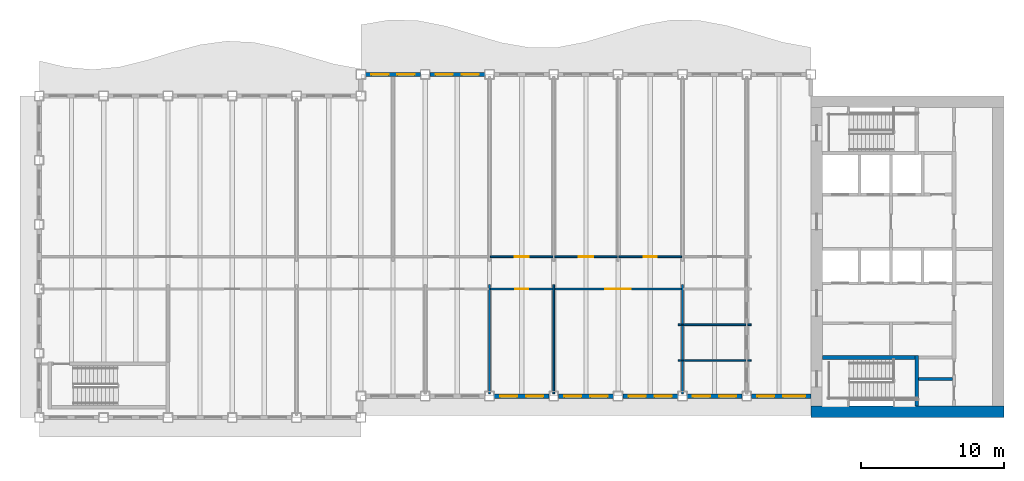
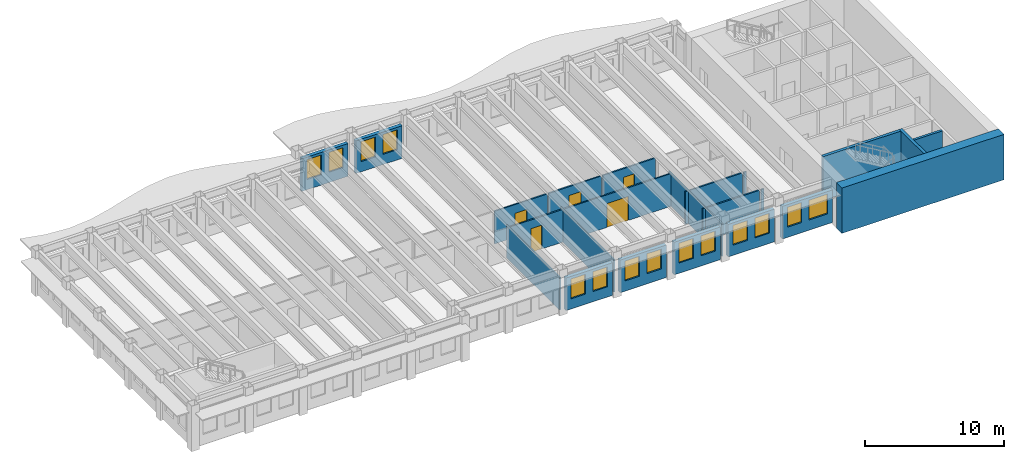
# One storey, part 4 of 12: 25 walls, 14 windows, 5 doors, 19 openings.
"""IFC4 building model written with IfcOpenShell, lengths in metres."""

import ifcopenshell
import ifcopenshell.guid

model = None  # the IFC model being written
_history = None  # IfcOwnerHistory: only IFC2X3 demands one
_inside = {}  # id of a spatial element -> (the spatial element, [elements in it])
_under = {}  # id of a project, library or spatial element -> (it, [spatial elements below it])
_declared = {}  # id of a project -> (the project, [libraries it declares])
_typed = {}  # id of a type object -> (the type object, [elements of that type])
_made_of = {}  # id of a material, layer set ... -> (it, [elements and type objects made of it])


def new_model(schema):
    """Start an empty IFC model of exactly this schema.

    Asked for "IFC4X3", IfcOpenShell would pick the latest addendum, in which some entities
    have other attributes; the version numbers below select the first issue.
    IFC2X3 requires an IfcOwnerHistory on every rooted entity: one is made here for all.
    """
    global model, _history
    if schema == "IFC4X3":
        model = ifcopenshell.file(schema_version=(4, 3, 0, 0))
    else:
        model = ifcopenshell.file(schema=schema)
    _inside.clear()
    _under.clear()
    _declared.clear()
    _typed.clear()
    _made_of.clear()
    _history = None
    if model.schema == "IFC2X3":
        org = make("IfcOrganization", Name="unknown")
        user = make(
            "IfcPersonAndOrganization",
            ThePerson=make("IfcPerson", FamilyName="unknown"),
            TheOrganization=org,
        )
        app = make(
            "IfcApplication",
            ApplicationDeveloper=org,
            Version="unknown",
            ApplicationFullName="unknown",
            ApplicationIdentifier="unknown",
        )
        _history = make(
            "IfcOwnerHistory",
            OwningUser=user,
            OwningApplication=app,
            ChangeAction="ADDED",
            CreationDate=0,
        )
    return model


def make(cls, **values):
    """One entity of the class cls with the attributes given. An attribute that is None is left unset."""
    return model.create_entity(
        cls, **{name: value for name, value in values.items() if value is not None}
    )


def rooted(cls, **values):
    """An entity with a GlobalId (a new one), such as an element, a storey or a relation."""
    return make(cls, GlobalId=ifcopenshell.guid.new(), OwnerHistory=_history, **values)


def si_unit(unit_type, name, prefix=None):
    """IfcSIUnit, for example si_unit("LENGTHUNIT", "METRE", prefix="MILLI")."""
    return make("IfcSIUnit", UnitType=unit_type, Prefix=prefix, Name=name)


def assignment(units):
    """IfcUnitAssignment: the units of a project."""
    return None if units is None else make("IfcUnitAssignment", Units=units)


def point(xyz):
    """IfcCartesianPoint."""
    return None if xyz is None else make("IfcCartesianPoint", Coordinates=xyz)


def direction(xyz):
    """IfcDirection."""
    return None if xyz is None else make("IfcDirection", DirectionRatios=xyz)


def frame(location, z_axis=None, x_axis=None):
    """IfcAxis2Placement3D, a coordinate frame: its origin and axes. An axis left out is left unset."""
    return make(
        "IfcAxis2Placement3D",
        Location=point(location),
        Axis=direction(z_axis),
        RefDirection=direction(x_axis),
    )


def frame_2d(location, x_axis=None):
    """IfcAxis2Placement2D, a coordinate frame in the plane: its origin and x axis."""
    return make(
        "IfcAxis2Placement2D", Location=point(location), RefDirection=direction(x_axis)
    )


def origin():
    """The frame at (0, 0, 0) with its axes left unset."""
    return frame((0.0, 0.0, 0.0))


def place(relative_to, where):
    """IfcLocalPlacement: puts the frame where relative to a parent placement (None: the world)."""
    return make(
        "IfcLocalPlacement", PlacementRelTo=relative_to, RelativePlacement=where
    )


def context(
    kind, dimensions, precision=None, world=None, true_north=None, identifier=None
):
    """IfcGeometricRepresentationContext, for example the 3D "Model" context."""
    return make(
        "IfcGeometricRepresentationContext",
        ContextIdentifier=identifier,
        ContextType=kind,
        CoordinateSpaceDimension=dimensions,
        Precision=precision,
        WorldCoordinateSystem=world,
        TrueNorth=true_north,
    )


def subcontext(parent, identifier, kind, view, scale=None):
    """IfcGeometricRepresentationSubContext, for example "Body" below "Model"."""
    return make(
        "IfcGeometricRepresentationSubContext",
        ContextIdentifier=identifier,
        ContextType=kind,
        ParentContext=parent,
        TargetScale=scale,
        TargetView=view,
    )


def project(units=None, contexts=None):
    """IfcProject with its units and contexts."""
    return rooted(
        "IfcProject",
        Name="project",
        RepresentationContexts=contexts,
        UnitsInContext=assignment(units),
    )


def spatial(cls, under=None, at=None, **own):
    """A site, building, storey or space (cls), placed at a placement, below another one or the project."""
    s = rooted(cls, ObjectPlacement=at, **own)
    if under is not None:
        _under.setdefault(under.id(), (under, []))[1].append(s)
    return s


def profile(cls, at=None, kind="AREA", **sizes):
    """A parametric profile (cls). Its sizes go by their IFC names, for example OverallWidth=200.0."""
    return make(cls, ProfileType=kind, Position=at, **sizes)


def rectangle(**sizes):
    """IfcRectangleProfileDef."""
    return profile("IfcRectangleProfileDef", **sizes)


def extrude(swept, where, along, depth):
    """IfcExtrudedAreaSolid: the profile swept, set in the frame where, extruded along a direction by depth."""
    return make(
        "IfcExtrudedAreaSolid",
        SweptArea=swept,
        Position=where,
        ExtrudedDirection=direction(along),
        Depth=depth,
    )


def shape(context_of_items, identifier, shape_type, items):
    """IfcShapeRepresentation: the items that make up one representation, for example the "Body"."""
    return make(
        "IfcShapeRepresentation",
        ContextOfItems=context_of_items,
        RepresentationIdentifier=identifier,
        RepresentationType=shape_type,
        Items=items,
    )


def material(Name=None, Category=None):
    """IfcMaterial."""
    return make("IfcMaterial", Name=Name, Category=Category)


def layer(
    of_material, thickness, ventilated=None, Name=None, Category=None, Priority=None
):
    """IfcMaterialLayer: one layer of a wall or slab, of a material (None: an air gap)."""
    return make(
        "IfcMaterialLayer",
        Material=of_material,
        LayerThickness=thickness,
        IsVentilated=ventilated,
        Name=Name,
        Category=Category,
        Priority=Priority,
    )


def layer_set(layers, Name=None):
    """IfcMaterialLayerSet."""
    return make("IfcMaterialLayerSet", MaterialLayers=layers, LayerSetName=Name)


def made_of(thing, what):
    """Note that an element or type object is made of a material, layer set ...; save() writes the relation."""
    if what is not None:
        _made_of.setdefault(what.id(), (what, []))[1].append(thing)
    return thing


def type_object(cls, material=None, **own):
    """A type object (cls), such as IfcWallType, which elements share."""
    return made_of(rooted(cls, **own), material)


def element(
    cls,
    number,
    at=None,
    inside=None,
    cuts=None,
    type_object=None,
    material=None,
    context=None,
    identifier="Body",
    shape_type=None,
    held_by="IfcProductDefinitionShape",
    body=None,
    shapes=None,
    **own,
):
    """One element of the class cls, such as IfcWall. Its Tag is "e" and its number.

    at: its placement. inside: the storey or other place that contains it. cuts: it is an
    opening in that element (IfcRelVoidsElement). A single representation is given by context,
    identifier, shape_type and body (its items); several are given by shapes. held_by: the class
    of the entity that holds the representations. save() writes the other relations.
    """
    e = rooted(cls, Tag="e%d" % number, ObjectPlacement=at, **own)
    if body is not None:
        shapes = [shape(context, identifier, shape_type, body)]
    if shapes is not None:
        e.Representation = make(held_by, Representations=shapes)
    if inside is not None:
        _inside.setdefault(inside.id(), (inside, []))[1].append(e)
    if cuts is not None:
        rooted(
            "IfcRelVoidsElement", RelatingBuildingElement=cuts, RelatedOpeningElement=e
        )
    if type_object is not None:
        _typed.setdefault(type_object.id(), (type_object, []))[1].append(e)
    return made_of(e, material)


def fill(opening, filler):
    """IfcRelFillsElement: the door or window that sits in an opening."""
    return rooted(
        "IfcRelFillsElement",
        RelatingOpeningElement=opening,
        RelatedBuildingElement=filler,
    )


def aggregate(whole, parts):
    """IfcRelAggregates: a whole, such as a stair, and the parts it consists of."""
    return rooted("IfcRelAggregates", RelatingObject=whole, RelatedObjects=parts)


def save(model, path):
    """Write the relations noted so far, then the file.

    IfcRelAggregates (storeys below a building ...), IfcRelContainedInSpatialStructure (elements
    in a storey), IfcRelDefinesByType, IfcRelAssociatesMaterial and IfcRelDeclares: one each for
    every whole, place, type object, material and project.
    """
    for whole, parts in _under.values():
        aggregate(whole, parts)
    for where, things in _inside.values():
        rooted(
            "IfcRelContainedInSpatialStructure",
            RelatedElements=things,
            RelatingStructure=where,
        )
    for kind, things in _typed.values():
        rooted("IfcRelDefinesByType", RelatedObjects=things, RelatingType=kind)
    for what, things in _made_of.values():
        rooted("IfcRelAssociatesMaterial", RelatedObjects=things, RelatingMaterial=what)
    for by, libraries in _declared.values():
        rooted("IfcRelDeclares", RelatingContext=by, RelatedDefinitions=libraries)
    model.write(path)


model = new_model("IFC4")

# Units and contexts
model_context = context("Model", 3, precision=1e-05, world=origin(), true_north=direction((0.0, 1.0)))
body_context = subcontext(model_context, "Body", "Model", "MODEL_VIEW")
ifc_project = project(units=[si_unit("LENGTHUNIT", "METRE"), si_unit("AREAUNIT", "SQUARE_METRE"), si_unit("VOLUMEUNIT", "CUBIC_METRE"), si_unit("PLANEANGLEUNIT", "RADIAN"), si_unit("MASSUNIT", "GRAM", prefix="KILO")], contexts=[model_context])

# Site, building, storey
site_placement = place(None, origin())
site = spatial("IfcSite", under=ifc_project, at=site_placement, CompositionType="ELEMENT")
building_placement = place(site_placement, origin())
building = spatial("IfcBuilding", under=site, at=building_placement, Name="Sennacour Bend Tower", CompositionType="ELEMENT")
storey_placement = place(building_placement, frame((0.0, 0.0, 257.0)))
storey = spatial("IfcBuildingStorey", under=building, at=storey_placement, Name="L59", CompositionType="ELEMENT", Elevation=257.0)

# Walls
ifc_material_1 = material(Name="Concrete C50/60", Category="concrete")
ifc_layer_1 = layer(ifc_material_1, 0.800048828125, Name="Concrete C50/60", Category="concrete")
ifc_layer_set_1 = layer_set([ifc_layer_1], Name="Concrete C50/60")
wall_type_1 = type_object("IfcWallType", Name="Core wall 800 C50/60", PredefinedType="SHEAR", material=ifc_layer_set_1)
wall_1_placement = place(storey_placement, frame((67.5, 0.39990234375, -0.14990234375), z_axis=(0.0, 0.0, 1.0), x_axis=(-1.0, 0.0, 0.0)))
element("IfcWall", 1, at=wall_1_placement, inside=storey, type_object=wall_type_1, Name="Core A wall L59 S", PredefinedType="SHEAR", context=body_context, shape_type="SweptSolid", body=[
    extrude(rectangle(XDim=13.5, YDim=0.800048828125, at=frame_2d((6.75, 0.0))), origin(), (0.0, 0.0, 1.0), 4.0),
])
ifc_material_2 = material(Name="Plasterboard partition on steel studs", Category="steel")
ifc_layer_2 = layer(ifc_material_2, 0.1201171875, Name="Plasterboard partition on steel studs", Category="steel")
ifc_layer_set_2 = layer_set([ifc_layer_2], Name="Plasterboard partition on steel studs")
wall_type_2 = type_object("IfcWallType", Name="Partition 120", PredefinedType="PARTITIONING", material=ifc_layer_set_2)
for number, where, z_axis, x_axis, name in (
    (2, (31.5, 1.64990234375, 0.0), (0.0, 0.0, 1.0), (0.0, 1.0, 0.0), "P-L59-W010a"),
    (3, (36.0, 1.64990234375, 0.0), (0.0, 0.0, 1.0), (0.0, 1.0, 0.0), "P-L59-W012a"),
    (4, (45.0, 1.64990234375, 0.0), (0.0, 0.0, 1.0), (0.0, 1.0, 0.0), "P-L59-W015a"),
):
    element("IfcWall", number, at=place(storey_placement, frame(where, z_axis=z_axis, x_axis=x_axis)), inside=storey, type_object=wall_type_2, Name=name, PredefinedType="PARTITIONING", context=body_context, shape_type="SweptSolid", body=[
        extrude(rectangle(XDim=7.650146484375, YDim=0.1201171875, at=frame_2d((3.8251953125, 0.0))), origin(), (0.0, 0.0, 1.0), 2.8701171875),
    ])
wall_2_placement = place(storey_placement, frame((44.699951171875, 4.0, 0.0), z_axis=(0.0, 0.0, 1.0), x_axis=(1.0, 0.0, 0.0)))
element("IfcWall", 5, at=wall_2_placement, inside=storey, type_object=wall_type_2, Name="P-L59-W038aa", PredefinedType="PARTITIONING", context=body_context, shape_type="SweptSolid", body=[
    extrude(rectangle(XDim=0.239990234375, YDim=0.1201171875, at=frame_2d((0.1201171875, 0.0))), origin(), (0.0, 0.0, 1.0), 2.8701171875),
])
wall_3_placement = place(storey_placement, frame((45.06005859375, 4.0, 0.0), z_axis=(0.0, 0.0, 1.0), x_axis=(1.0, 0.0, 0.0)))
element("IfcWall", 6, at=wall_3_placement, inside=storey, type_object=wall_type_2, Name="P-L59-W038ab", PredefinedType="PARTITIONING", context=body_context, shape_type="SweptSolid", body=[
    extrude(rectangle(XDim=4.3798828125, YDim=0.1201171875, at=frame_2d((2.18994140625, 0.0))), origin(), (0.0, 0.0, 1.0), 2.8701171875),
])
for number, where, z_axis, x_axis, name in (
    (7, (49.56005859375, 4.0, 0.0), (0.0, 0.0, 1.0), (1.0, 0.0, 0.0), "P-L59-W038ac"),
    (8, (44.699951171875, 6.5, 0.0), (0.0, 0.0, 1.0), (1.0, 0.0, 0.0), "P-L59-W041aa"),
):
    element("IfcWall", number, at=place(storey_placement, frame(where, z_axis=z_axis, x_axis=x_axis)), inside=storey, type_object=wall_type_2, Name=name, PredefinedType="PARTITIONING", context=body_context, shape_type="SweptSolid", body=[
        extrude(rectangle(XDim=0.239990234375, YDim=0.1201171875, at=frame_2d((0.1201171875, 0.0))), origin(), (0.0, 0.0, 1.0), 2.8701171875),
    ])
wall_4_placement = place(storey_placement, frame((45.06005859375, 6.5, 0.0), z_axis=(0.0, 0.0, 1.0), x_axis=(1.0, 0.0, 0.0)))
element("IfcWall", 9, at=wall_4_placement, inside=storey, type_object=wall_type_2, Name="P-L59-W041ab", PredefinedType="PARTITIONING", context=body_context, shape_type="SweptSolid", body=[
    extrude(rectangle(XDim=4.3798828125, YDim=0.1201171875, at=frame_2d((2.18994140625, 0.0))), origin(), (0.0, 0.0, 1.0), 2.8701171875),
])
wall_5_placement = place(storey_placement, frame((49.56005859375, 6.5, 0.0), z_axis=(0.0, 0.0, 1.0), x_axis=(1.0, 0.0, 0.0)))
element("IfcWall", 10, at=wall_5_placement, inside=storey, type_object=wall_type_2, Name="P-L59-W041ac", PredefinedType="PARTITIONING", context=body_context, shape_type="SweptSolid", body=[
    extrude(rectangle(XDim=0.239990234375, YDim=0.1201171875, at=frame_2d((0.1201171875, 0.0))), origin(), (0.0, 0.0, 1.0), 2.8701171875),
])

# Wall, opening, door
wall_6_placement = place(storey_placement, frame((36.06005859375, 9.0, 0.0), z_axis=(0.0, 0.0, 1.0), x_axis=(1.0, 0.0, 0.0)))
wall_6 = element("IfcWall", 11, at=wall_6_placement, inside=storey, type_object=wall_type_2, Name="P-L59-W043af", PredefinedType="PARTITIONING", context=body_context, shape_type="SweptSolid", body=[
    extrude(rectangle(XDim=8.8798828125, YDim=0.1201171875, at=frame_2d((4.43994140625, 0.0))), origin(), (0.0, 0.0, 1.0), 2.8701171875),
])
opening_1_placement = place(wall_6_placement, frame((3.539794921875, 0.0, 0.0)))
opening_1 = element("IfcOpeningElement", 12, at=opening_1_placement, cuts=wall_6, Name="Opening OD3", PredefinedType="OPENING", context=body_context, shape_type="SweptSolid", body=[
    extrude(rectangle(XDim=1.800048828125, YDim=2.10009765625, at=frame_2d((0.89990234375, 1.050048828125))), frame((0.0, 0.070068359375, 0.0), z_axis=(0.0, -1.0, 0.0), x_axis=(1.0, 0.0, 0.0)), (0.0, 0.0, 1.0), 0.14013671875),
])
ifc_material_3 = material(Name="Timber", Category="wood")
door_type_1 = type_object("IfcDoorType", Name="DR-OFFICE-1800", OperationType="NOTDEFINED", PredefinedType="DOOR", material=ifc_material_3)
door_1_placement = place(opening_1_placement, origin())
door_1 = element("IfcDoor", 13, at=door_1_placement, inside=storey, type_object=door_type_1, Name="Door", OperationType="DOUBLE_DOOR_SINGLE_SWING", OverallHeight=2.10009765625, OverallWidth=1.800048828125, PredefinedType="DOOR", context=body_context, shape_type="SweptSolid", body=[
    extrude(rectangle(XDim=1.800048828125, YDim=2.10009765625, at=frame_2d((0.89990234375, 1.050048828125))), frame((0.0, 0.02490234375, 0.0), z_axis=(0.0, -1.0, 0.0), x_axis=(1.0, 0.0, 0.0)), (0.0, 0.0, 1.0), 0.050048828125),
])
fill(opening_1, door_1)

wall_7_placement = place(storey_placement, frame((31.56005859375, 11.25, 0.0), z_axis=(0.0, 0.0, 1.0), x_axis=(1.0, 0.0, 0.0)))
wall_7 = element("IfcWall", 14, at=wall_7_placement, inside=storey, type_object=wall_type_2, Name="P-L59-W046ad", PredefinedType="PARTITIONING", context=body_context, shape_type="SweptSolid", body=[
    extrude(rectangle(XDim=4.3798828125, YDim=0.1201171875, at=frame_2d((2.18994140625, 0.0))), origin(), (0.0, 0.0, 1.0), 2.8701171875),
])
opening_2_placement = place(wall_7_placement, frame((1.68994140625, 0.0, 0.0)))
opening_2 = element("IfcOpeningElement", 15, at=opening_2_placement, cuts=wall_7, Name="Opening OD2", PredefinedType="OPENING", context=body_context, shape_type="SweptSolid", body=[
    extrude(rectangle(XDim=1.0, YDim=2.10009765625, at=frame_2d((0.5, 1.050048828125))), frame((0.0, 0.070068359375, 0.0), z_axis=(0.0, -1.0, 0.0), x_axis=(1.0, 0.0, 0.0)), (0.0, 0.0, 1.0), 0.14013671875),
])
door_type_2 = type_object("IfcDoorType", Name="DR-OFFICE-1000", OperationType="NOTDEFINED", PredefinedType="DOOR", material=ifc_material_3)
door_2_placement = place(opening_2_placement, origin())
door_2 = element("IfcDoor", 16, at=door_2_placement, inside=storey, type_object=door_type_2, Name="Door", OperationType="SINGLE_SWING_LEFT", OverallHeight=2.10009765625, OverallWidth=1.0, PredefinedType="DOOR", context=body_context, shape_type="SweptSolid", body=[
    extrude(rectangle(XDim=1.0, YDim=2.10009765625, at=frame_2d((0.5, 1.050048828125))), frame((0.0, 0.02490234375, 0.0), z_axis=(0.0, -1.0, 0.0), x_axis=(1.0, 0.0, 0.0)), (0.0, 0.0, 1.0), 0.050048828125),
])
fill(opening_2, door_2)

wall_8_placement = place(storey_placement, frame((36.06005859375, 11.25, 0.0), z_axis=(0.0, 0.0, 1.0), x_axis=(1.0, 0.0, 0.0)))
wall_8 = element("IfcWall", 17, at=wall_8_placement, inside=storey, type_object=wall_type_2, Name="P-L59-W046ae", PredefinedType="PARTITIONING", context=body_context, shape_type="SweptSolid", body=[
    extrude(rectangle(XDim=4.3798828125, YDim=0.1201171875, at=frame_2d((2.18994140625, 0.0))), origin(), (0.0, 0.0, 1.0), 2.8701171875),
])
opening_3_placement = place(wall_8_placement, frame((1.68994140625, 0.0, 0.0)))
opening_3 = element("IfcOpeningElement", 18, at=opening_3_placement, cuts=wall_8, Name="Opening OD2", PredefinedType="OPENING", context=body_context, shape_type="SweptSolid", body=[
    extrude(rectangle(XDim=1.0, YDim=2.10009765625, at=frame_2d((0.5, 1.050048828125))), frame((0.0, 0.070068359375, 0.0), z_axis=(0.0, -1.0, 0.0), x_axis=(1.0, 0.0, 0.0)), (0.0, 0.0, 1.0), 0.14013671875),
])
door_3_placement = place(opening_3_placement, origin())
door_3 = element("IfcDoor", 19, at=door_3_placement, inside=storey, type_object=door_type_2, Name="Door", OperationType="SINGLE_SWING_LEFT", OverallHeight=2.10009765625, OverallWidth=1.0, PredefinedType="DOOR", context=body_context, shape_type="SweptSolid", body=[
    extrude(rectangle(XDim=1.0, YDim=2.10009765625, at=frame_2d((0.5, 1.050048828125))), frame((0.0, 0.02490234375, 0.0), z_axis=(0.0, -1.0, 0.0), x_axis=(1.0, 0.0, 0.0)), (0.0, 0.0, 1.0), 0.050048828125),
])
fill(opening_3, door_3)

ifc_layer_3 = layer(ifc_material_2, 0.1201171875, Name="Plasterboard partition on steel studs", Category="steel")
ifc_layer_set_3 = layer_set([ifc_layer_3], Name="Plasterboard partition on steel studs")
wall_type_3 = type_object("IfcWallType", Name="Partition 120 EI 60", PredefinedType="PARTITIONING", material=ifc_layer_set_3)
wall_9_placement = place(storey_placement, frame((31.56005859375, 9.0, 0.0), z_axis=(0.0, 0.0, 1.0), x_axis=(1.0, 0.0, 0.0)))
wall_9 = element("IfcWall", 20, at=wall_9_placement, inside=storey, type_object=wall_type_3, Name="P-L59-W043ae", PredefinedType="PARTITIONING", context=body_context, shape_type="SweptSolid", body=[
    extrude(rectangle(XDim=4.3798828125, YDim=0.1201171875, at=frame_2d((2.18994140625, 0.0))), origin(), (0.0, 0.0, 1.0), 2.8701171875),
])
opening_4_placement = place(wall_9_placement, frame((1.739990234375, 0.0, 0.0)))
opening_4 = element("IfcOpeningElement", 21, at=opening_4_placement, cuts=wall_9, Name="Opening SV", PredefinedType="OPENING", context=body_context, shape_type="SweptSolid", body=[
    extrude(rectangle(XDim=0.89990234375, YDim=2.10009765625, at=frame_2d((0.449951171875, 1.050048828125))), frame((0.0, 0.070068359375, 0.0), z_axis=(0.0, -1.0, 0.0), x_axis=(1.0, 0.0, 0.0)), (0.0, 0.0, 1.0), 0.14013671875),
])
ifc_material_4 = material(Name="Painted steel", Category="steel")
door_type_3 = type_object("IfcDoorType", Name="DR-SERVICE-900", OperationType="NOTDEFINED", PredefinedType="DOOR", material=ifc_material_4)
door_4_placement = place(opening_4_placement, origin())
door_4 = element("IfcDoor", 22, at=door_4_placement, inside=storey, type_object=door_type_3, Name="Door", OperationType="SINGLE_SWING_LEFT", OverallHeight=2.10009765625, OverallWidth=0.89990234375, PredefinedType="DOOR", context=body_context, shape_type="SweptSolid", body=[
    extrude(rectangle(XDim=0.89990234375, YDim=2.10009765625, at=frame_2d((0.449951171875, 1.050048828125))), frame((0.0, 0.02490234375, 0.0), z_axis=(0.0, -1.0, 0.0), x_axis=(1.0, 0.0, 0.0)), (0.0, 0.0, 1.0), 0.050048828125),
])
fill(opening_4, door_4)

wall_10_placement = place(storey_placement, frame((40.56005859375, 11.25, 0.0), z_axis=(0.0, 0.0, 1.0), x_axis=(1.0, 0.0, 0.0)))
wall_10 = element("IfcWall", 23, at=wall_10_placement, inside=storey, type_object=wall_type_3, Name="P-L59-W046af", PredefinedType="PARTITIONING", context=body_context, shape_type="SweptSolid", body=[
    extrude(rectangle(XDim=4.3798828125, YDim=0.1201171875, at=frame_2d((2.18994140625, 0.0))), origin(), (0.0, 0.0, 1.0), 2.8701171875),
])
opening_5_placement = place(wall_10_placement, frame((1.739990234375, 0.0, 0.0)))
opening_5 = element("IfcOpeningElement", 24, at=opening_5_placement, cuts=wall_10, Name="Opening SV", PredefinedType="OPENING", context=body_context, shape_type="SweptSolid", body=[
    extrude(rectangle(XDim=0.89990234375, YDim=2.10009765625, at=frame_2d((0.449951171875, 1.050048828125))), frame((0.0, 0.070068359375, 0.0), z_axis=(0.0, -1.0, 0.0), x_axis=(1.0, 0.0, 0.0)), (0.0, 0.0, 1.0), 0.14013671875),
])
door_5_placement = place(opening_5_placement, origin())
door_5 = element("IfcDoor", 25, at=door_5_placement, inside=storey, type_object=door_type_3, Name="Door", OperationType="SINGLE_SWING_LEFT", OverallHeight=2.10009765625, OverallWidth=0.89990234375, PredefinedType="DOOR", context=body_context, shape_type="SweptSolid", body=[
    extrude(rectangle(XDim=0.89990234375, YDim=2.10009765625, at=frame_2d((0.449951171875, 1.050048828125))), frame((0.0, 0.02490234375, 0.0), z_axis=(0.0, -1.0, 0.0), x_axis=(1.0, 0.0, 0.0)), (0.0, 0.0, 1.0), 0.050048828125),
])
fill(opening_5, door_5)

# Wall
ifc_material_5 = material(Name="Fire-rated plasterboard partition on steel studs", Category="steel")
ifc_layer_4 = layer(ifc_material_5, 0.199951171875, Name="Fire-rated plasterboard partition on steel studs", Category="steel")
ifc_layer_set_4 = layer_set([ifc_layer_4], Name="Fire-rated plasterboard partition on steel studs")
wall_type_4 = type_object("IfcWallType", Name="Rated partition 200", PredefinedType="PARTITIONING", material=ifc_layer_set_4)
wall_11_placement = place(storey_placement, frame((61.52490234375, 2.699951171875, 0.0), z_axis=(0.0, 0.0, 1.0), x_axis=(1.0, 0.0, 0.0)))
element("IfcWall", 26, at=wall_11_placement, inside=storey, type_object=wall_type_4, Name="P-L59-W035", PredefinedType="PARTITIONING", context=body_context, shape_type="SweptSolid", body=[
    extrude(rectangle(XDim=2.375, YDim=0.199951171875, at=frame_2d((1.1875, 0.0))), origin(), (0.0, 0.0, 1.0), 3.85009765625),
])

# Wall, openings, windows
ifc_material_6 = material(Name="Warm limestone cladding", Category="masonry")
ifc_layer_5 = layer(ifc_material_6, 0.050048828125, Name="Warm limestone cladding", Category="masonry")
ifc_material_7 = material(Name="Precast concrete C40/50", Category="concrete")
ifc_layer_6 = layer(ifc_material_7, 0.25, Name="Precast concrete C40/50", Category="concrete")
ifc_layer_set_5 = layer_set([ifc_layer_5, ifc_layer_6], Name="Precast concrete C40/50 with limestone cladding")
wall_type_5 = type_object("IfcWallType", Name="STONE-CLAD PRECAST SPANDREL 300", PredefinedType="STANDARD", material=ifc_layer_set_5)
wall_12_placement = place(storey_placement, frame((31.824951171875, 1.5, 0.0), z_axis=(0.0, 0.0, 1.0), x_axis=(1.0, 0.0, 0.0)))
wall_12 = element("IfcWall", 27, at=wall_12_placement, inside=storey, type_object=wall_type_5, Name="Stone spandrel and pier wall L59 01.02", PredefinedType="STANDARD", context=body_context, shape_type="SweptSolid", body=[
    extrude(rectangle(XDim=3.85009765625, YDim=0.300048828125, at=frame_2d((1.925048828125, 0.0))), origin(), (0.0, 0.0, 1.0), 2.8701171875),
])
opening_6_placement = place(wall_12_placement, frame((0.41259765625, 0.0, 0.89990234375)))
opening_6 = element("IfcOpeningElement", 28, at=opening_6_placement, cuts=wall_12, Name="Opening W16", PredefinedType="OPENING", context=body_context, shape_type="SweptSolid", body=[
    extrude(rectangle(XDim=1.199951171875, YDim=1.75, at=frame_2d((0.60009765625, 0.875))), frame((0.0, 0.16015625, 0.0), z_axis=(0.0, -1.0, 0.0), x_axis=(1.0, 0.0, 0.0)), (0.0, 0.0, 1.0), 0.320068359375),
])
opening_7_placement = place(wall_12_placement, frame((2.237548828125, 0.0, 0.89990234375)))
opening_7 = element("IfcOpeningElement", 29, at=opening_7_placement, cuts=wall_12, Name="Opening W16", PredefinedType="OPENING", context=body_context, shape_type="SweptSolid", body=[
    extrude(rectangle(XDim=1.199951171875, YDim=1.75, at=frame_2d((0.60009765625, 0.875))), frame((0.0, 0.16015625, 0.0), z_axis=(0.0, -1.0, 0.0), x_axis=(1.0, 0.0, 0.0)), (0.0, 0.0, 1.0), 0.320068359375),
])
ifc_material_8 = material(Name="Clear low-emissivity glass", Category="glass")
window_type_1 = type_object("IfcWindowType", Name="WIN-RIBBON-1200x1750", PartitioningType="SINGLE_PANEL", PredefinedType="WINDOW", material=ifc_material_8)
window_1_placement = place(opening_6_placement, origin())
window_1 = element("IfcWindow", 30, at=window_1_placement, inside=storey, type_object=window_type_1, Name="Ribbon window L59 01.02.0", OverallHeight=1.75, OverallWidth=1.199951171875, PartitioningType="SINGLE_PANEL", PredefinedType="WINDOW", context=body_context, shape_type="SweptSolid", body=[
    extrude(rectangle(XDim=1.199951171875, YDim=1.75, at=frame_2d((0.60009765625, 0.875))), frame((0.0, 0.030029296875, 0.0), z_axis=(0.0, -1.0, 0.0), x_axis=(1.0, 0.0, 0.0)), (0.0, 0.0, 1.0), 0.06005859375),
])
fill(opening_6, window_1)
window_2_placement = place(opening_7_placement, origin())
window_2 = element("IfcWindow", 31, at=window_2_placement, inside=storey, type_object=window_type_1, Name="Ribbon window L59 01.02.1", OverallHeight=1.75, OverallWidth=1.199951171875, PartitioningType="SINGLE_PANEL", PredefinedType="WINDOW", context=body_context, shape_type="SweptSolid", body=[
    extrude(rectangle(XDim=1.199951171875, YDim=1.75, at=frame_2d((0.60009765625, 0.875))), frame((0.0, 0.030029296875, 0.0), z_axis=(0.0, -1.0, 0.0), x_axis=(1.0, 0.0, 0.0)), (0.0, 0.0, 1.0), 0.06005859375),
])
fill(opening_7, window_2)

wall_13_placement = place(storey_placement, frame((36.324951171875, 1.5, 0.0), z_axis=(0.0, 0.0, 1.0), x_axis=(1.0, 0.0, 0.0)))
wall_13 = element("IfcWall", 32, at=wall_13_placement, inside=storey, type_object=wall_type_5, Name="Stone spandrel and pier wall L59 01.03", PredefinedType="STANDARD", context=body_context, shape_type="SweptSolid", body=[
    extrude(rectangle(XDim=3.85009765625, YDim=0.300048828125, at=frame_2d((1.925048828125, 0.0))), origin(), (0.0, 0.0, 1.0), 2.8701171875),
])
opening_8_placement = place(wall_13_placement, frame((0.41259765625, 0.0, 0.89990234375)))
opening_8 = element("IfcOpeningElement", 33, at=opening_8_placement, cuts=wall_13, Name="Opening W16", PredefinedType="OPENING", context=body_context, shape_type="SweptSolid", body=[
    extrude(rectangle(XDim=1.199951171875, YDim=1.75, at=frame_2d((0.60009765625, 0.875))), frame((0.0, 0.16015625, 0.0), z_axis=(0.0, -1.0, 0.0), x_axis=(1.0, 0.0, 0.0)), (0.0, 0.0, 1.0), 0.320068359375),
])
opening_9_placement = place(wall_13_placement, frame((2.237548828125, 0.0, 0.89990234375)))
opening_9 = element("IfcOpeningElement", 34, at=opening_9_placement, cuts=wall_13, Name="Opening W16", PredefinedType="OPENING", context=body_context, shape_type="SweptSolid", body=[
    extrude(rectangle(XDim=1.199951171875, YDim=1.75, at=frame_2d((0.60009765625, 0.875))), frame((0.0, 0.16015625, 0.0), z_axis=(0.0, -1.0, 0.0), x_axis=(1.0, 0.0, 0.0)), (0.0, 0.0, 1.0), 0.320068359375),
])
window_3_placement = place(opening_8_placement, origin())
window_3 = element("IfcWindow", 35, at=window_3_placement, inside=storey, type_object=window_type_1, Name="Ribbon window L59 01.03.0", OverallHeight=1.75, OverallWidth=1.199951171875, PartitioningType="SINGLE_PANEL", PredefinedType="WINDOW", context=body_context, shape_type="SweptSolid", body=[
    extrude(rectangle(XDim=1.199951171875, YDim=1.75, at=frame_2d((0.60009765625, 0.875))), frame((0.0, 0.030029296875, 0.0), z_axis=(0.0, -1.0, 0.0), x_axis=(1.0, 0.0, 0.0)), (0.0, 0.0, 1.0), 0.06005859375),
])
fill(opening_8, window_3)
window_4_placement = place(opening_9_placement, origin())
window_4 = element("IfcWindow", 36, at=window_4_placement, inside=storey, type_object=window_type_1, Name="Ribbon window L59 01.03.1", OverallHeight=1.75, OverallWidth=1.199951171875, PartitioningType="SINGLE_PANEL", PredefinedType="WINDOW", context=body_context, shape_type="SweptSolid", body=[
    extrude(rectangle(XDim=1.199951171875, YDim=1.75, at=frame_2d((0.60009765625, 0.875))), frame((0.0, 0.030029296875, 0.0), z_axis=(0.0, -1.0, 0.0), x_axis=(1.0, 0.0, 0.0)), (0.0, 0.0, 1.0), 0.06005859375),
])
fill(opening_9, window_4)

wall_14_placement = place(storey_placement, frame((40.824951171875, 1.5, 0.0), z_axis=(0.0, 0.0, 1.0), x_axis=(1.0, 0.0, 0.0)))
wall_14 = element("IfcWall", 37, at=wall_14_placement, inside=storey, type_object=wall_type_5, Name="Stone spandrel and pier wall L59 01.04", PredefinedType="STANDARD", context=body_context, shape_type="SweptSolid", body=[
    extrude(rectangle(XDim=3.85009765625, YDim=0.300048828125, at=frame_2d((1.925048828125, 0.0))), origin(), (0.0, 0.0, 1.0), 2.8701171875),
])
opening_10_placement = place(wall_14_placement, frame((0.41259765625, 0.0, 0.89990234375)))
opening_10 = element("IfcOpeningElement", 38, at=opening_10_placement, cuts=wall_14, Name="Opening W16", PredefinedType="OPENING", context=body_context, shape_type="SweptSolid", body=[
    extrude(rectangle(XDim=1.199951171875, YDim=1.75, at=frame_2d((0.60009765625, 0.875))), frame((0.0, 0.16015625, 0.0), z_axis=(0.0, -1.0, 0.0), x_axis=(1.0, 0.0, 0.0)), (0.0, 0.0, 1.0), 0.320068359375),
])
opening_11_placement = place(wall_14_placement, frame((2.237548828125, 0.0, 0.89990234375)))
opening_11 = element("IfcOpeningElement", 39, at=opening_11_placement, cuts=wall_14, Name="Opening W16", PredefinedType="OPENING", context=body_context, shape_type="SweptSolid", body=[
    extrude(rectangle(XDim=1.199951171875, YDim=1.75, at=frame_2d((0.60009765625, 0.875))), frame((0.0, 0.16015625, 0.0), z_axis=(0.0, -1.0, 0.0), x_axis=(1.0, 0.0, 0.0)), (0.0, 0.0, 1.0), 0.320068359375),
])
window_5_placement = place(opening_10_placement, origin())
window_5 = element("IfcWindow", 40, at=window_5_placement, inside=storey, type_object=window_type_1, Name="Ribbon window L59 01.04.0", OverallHeight=1.75, OverallWidth=1.199951171875, PartitioningType="SINGLE_PANEL", PredefinedType="WINDOW", context=body_context, shape_type="SweptSolid", body=[
    extrude(rectangle(XDim=1.199951171875, YDim=1.75, at=frame_2d((0.60009765625, 0.875))), frame((0.0, 0.030029296875, 0.0), z_axis=(0.0, -1.0, 0.0), x_axis=(1.0, 0.0, 0.0)), (0.0, 0.0, 1.0), 0.06005859375),
])
fill(opening_10, window_5)
window_6_placement = place(opening_11_placement, origin())
window_6 = element("IfcWindow", 41, at=window_6_placement, inside=storey, type_object=window_type_1, Name="Ribbon window L59 01.04.1", OverallHeight=1.75, OverallWidth=1.199951171875, PartitioningType="SINGLE_PANEL", PredefinedType="WINDOW", context=body_context, shape_type="SweptSolid", body=[
    extrude(rectangle(XDim=1.199951171875, YDim=1.75, at=frame_2d((0.60009765625, 0.875))), frame((0.0, 0.030029296875, 0.0), z_axis=(0.0, -1.0, 0.0), x_axis=(1.0, 0.0, 0.0)), (0.0, 0.0, 1.0), 0.06005859375),
])
fill(opening_11, window_6)

wall_15_placement = place(storey_placement, frame((45.324951171875, 1.5, 0.0), z_axis=(0.0, 0.0, 1.0), x_axis=(1.0, 0.0, 0.0)))
wall_15 = element("IfcWall", 42, at=wall_15_placement, inside=storey, type_object=wall_type_5, Name="Stone spandrel and pier wall L59 01.05", PredefinedType="STANDARD", context=body_context, shape_type="SweptSolid", body=[
    extrude(rectangle(XDim=3.85009765625, YDim=0.300048828125, at=frame_2d((1.925048828125, 0.0))), origin(), (0.0, 0.0, 1.0), 2.8701171875),
])
opening_12_placement = place(wall_15_placement, frame((0.41259765625, 0.0, 0.89990234375)))
opening_12 = element("IfcOpeningElement", 43, at=opening_12_placement, cuts=wall_15, Name="Opening W16", PredefinedType="OPENING", context=body_context, shape_type="SweptSolid", body=[
    extrude(rectangle(XDim=1.199951171875, YDim=1.75, at=frame_2d((0.60009765625, 0.875))), frame((0.0, 0.16015625, 0.0), z_axis=(0.0, -1.0, 0.0), x_axis=(1.0, 0.0, 0.0)), (0.0, 0.0, 1.0), 0.320068359375),
])
opening_13_placement = place(wall_15_placement, frame((2.237548828125, 0.0, 0.89990234375)))
opening_13 = element("IfcOpeningElement", 44, at=opening_13_placement, cuts=wall_15, Name="Opening W16", PredefinedType="OPENING", context=body_context, shape_type="SweptSolid", body=[
    extrude(rectangle(XDim=1.199951171875, YDim=1.75, at=frame_2d((0.60009765625, 0.875))), frame((0.0, 0.16015625, 0.0), z_axis=(0.0, -1.0, 0.0), x_axis=(1.0, 0.0, 0.0)), (0.0, 0.0, 1.0), 0.320068359375),
])
window_7_placement = place(opening_12_placement, origin())
window_7 = element("IfcWindow", 45, at=window_7_placement, inside=storey, type_object=window_type_1, Name="Ribbon window L59 01.05.0", OverallHeight=1.75, OverallWidth=1.199951171875, PartitioningType="SINGLE_PANEL", PredefinedType="WINDOW", context=body_context, shape_type="SweptSolid", body=[
    extrude(rectangle(XDim=1.199951171875, YDim=1.75, at=frame_2d((0.60009765625, 0.875))), frame((0.0, 0.030029296875, 0.0), z_axis=(0.0, -1.0, 0.0), x_axis=(1.0, 0.0, 0.0)), (0.0, 0.0, 1.0), 0.06005859375),
])
fill(opening_12, window_7)
window_8_placement = place(opening_13_placement, origin())
window_8 = element("IfcWindow", 46, at=window_8_placement, inside=storey, type_object=window_type_1, Name="Ribbon window L59 01.05.1", OverallHeight=1.75, OverallWidth=1.199951171875, PartitioningType="SINGLE_PANEL", PredefinedType="WINDOW", context=body_context, shape_type="SweptSolid", body=[
    extrude(rectangle(XDim=1.199951171875, YDim=1.75, at=frame_2d((0.60009765625, 0.875))), frame((0.0, 0.030029296875, 0.0), z_axis=(0.0, -1.0, 0.0), x_axis=(1.0, 0.0, 0.0)), (0.0, 0.0, 1.0), 0.06005859375),
])
fill(opening_13, window_8)

wall_16_placement = place(storey_placement, frame((49.824951171875, 1.5, 0.0), z_axis=(0.0, 0.0, 1.0), x_axis=(1.0, 0.0, 0.0)))
wall_16 = element("IfcWall", 47, at=wall_16_placement, inside=storey, type_object=wall_type_5, Name="Stone spandrel and pier wall L59 01.06", PredefinedType="STANDARD", context=body_context, shape_type="SweptSolid", body=[
    extrude(rectangle(XDim=4.175048828125, YDim=0.300048828125, at=frame_2d((2.08740234375, 0.0))), origin(), (0.0, 0.0, 1.0), 2.8701171875),
])
opening_14_placement = place(wall_16_placement, frame((0.41259765625, 0.0, 0.89990234375)))
opening_14 = element("IfcOpeningElement", 48, at=opening_14_placement, cuts=wall_16, Name="Opening W16", PredefinedType="OPENING", context=body_context, shape_type="SweptSolid", body=[
    extrude(rectangle(XDim=1.199951171875, YDim=1.75, at=frame_2d((0.60009765625, 0.875))), frame((0.0, 0.16015625, 0.0), z_axis=(0.0, -1.0, 0.0), x_axis=(1.0, 0.0, 0.0)), (0.0, 0.0, 1.0), 0.320068359375),
])
opening_15_placement = place(wall_16_placement, frame((2.22509765625, 0.0, 0.89990234375)))
opening_15 = element("IfcOpeningElement", 49, at=opening_15_placement, cuts=wall_16, Name="Opening W12", PredefinedType="OPENING", context=body_context, shape_type="SweptSolid", body=[
    extrude(rectangle(XDim=1.550048828125, YDim=1.75, at=frame_2d((0.77490234375, 0.875))), frame((0.0, 0.16015625, 0.0), z_axis=(0.0, -1.0, 0.0), x_axis=(1.0, 0.0, 0.0)), (0.0, 0.0, 1.0), 0.320068359375),
])
window_9_placement = place(opening_14_placement, origin())
window_9 = element("IfcWindow", 50, at=window_9_placement, inside=storey, type_object=window_type_1, Name="Ribbon window L59 01.06.0", OverallHeight=1.75, OverallWidth=1.199951171875, PartitioningType="SINGLE_PANEL", PredefinedType="WINDOW", context=body_context, shape_type="SweptSolid", body=[
    extrude(rectangle(XDim=1.199951171875, YDim=1.75, at=frame_2d((0.60009765625, 0.875))), frame((0.0, 0.030029296875, 0.0), z_axis=(0.0, -1.0, 0.0), x_axis=(1.0, 0.0, 0.0)), (0.0, 0.0, 1.0), 0.06005859375),
])
fill(opening_14, window_9)
window_type_2 = type_object("IfcWindowType", Name="WIN-RIBBON-1550x1750", PartitioningType="SINGLE_PANEL", PredefinedType="WINDOW", material=ifc_material_8)
window_10_placement = place(opening_15_placement, origin())
window_10 = element("IfcWindow", 51, at=window_10_placement, inside=storey, type_object=window_type_2, Name="Ribbon window L59 01.06.1", OverallHeight=1.75, OverallWidth=1.550048828125, PartitioningType="SINGLE_PANEL", PredefinedType="WINDOW", context=body_context, shape_type="SweptSolid", body=[
    extrude(rectangle(XDim=1.550048828125, YDim=1.75, at=frame_2d((0.77490234375, 0.875))), frame((0.0, 0.030029296875, 0.0), z_axis=(0.0, -1.0, 0.0), x_axis=(1.0, 0.0, 0.0)), (0.0, 0.0, 1.0), 0.06005859375),
])
fill(opening_15, window_10)

wall_17_placement = place(storey_placement, frame((31.175048828125, 24.0, 0.0), z_axis=(0.0, 0.0, 1.0), x_axis=(-1.0, 0.0, 0.0)))
wall_17 = element("IfcWall", 52, at=wall_17_placement, inside=storey, type_object=wall_type_5, Name="Stone spandrel and pier wall L59 07.05", PredefinedType="STANDARD", context=body_context, shape_type="SweptSolid", body=[
    extrude(rectangle(XDim=3.85009765625, YDim=0.300048828125, at=frame_2d((1.925048828125, 0.0))), origin(), (0.0, 0.0, 1.0), 2.8701171875),
])
opening_16_placement = place(wall_17_placement, frame((0.41259765625, 0.0, 0.89990234375)))
opening_16 = element("IfcOpeningElement", 53, at=opening_16_placement, cuts=wall_17, Name="Opening W16", PredefinedType="OPENING", context=body_context, shape_type="SweptSolid", body=[
    extrude(rectangle(XDim=1.199951171875, YDim=1.75, at=frame_2d((0.60009765625, 0.875))), frame((0.0, 0.16015625, 0.0), z_axis=(0.0, -1.0, 0.0), x_axis=(1.0, 0.0, 0.0)), (0.0, 0.0, 1.0), 0.320068359375),
])
opening_17_placement = place(wall_17_placement, frame((2.237548828125, 0.0, 0.89990234375)))
opening_17 = element("IfcOpeningElement", 54, at=opening_17_placement, cuts=wall_17, Name="Opening W16", PredefinedType="OPENING", context=body_context, shape_type="SweptSolid", body=[
    extrude(rectangle(XDim=1.199951171875, YDim=1.75, at=frame_2d((0.60009765625, 0.875))), frame((0.0, 0.16015625, 0.0), z_axis=(0.0, -1.0, 0.0), x_axis=(1.0, 0.0, 0.0)), (0.0, 0.0, 1.0), 0.320068359375),
])
window_11_placement = place(opening_16_placement, origin())
window_11 = element("IfcWindow", 55, at=window_11_placement, inside=storey, type_object=window_type_1, Name="Ribbon window L59 07.05.0", OverallHeight=1.75, OverallWidth=1.199951171875, PartitioningType="SINGLE_PANEL", PredefinedType="WINDOW", context=body_context, shape_type="SweptSolid", body=[
    extrude(rectangle(XDim=1.199951171875, YDim=1.75, at=frame_2d((0.60009765625, 0.875))), frame((0.0, 0.030029296875, 0.0), z_axis=(0.0, -1.0, 0.0), x_axis=(1.0, 0.0, 0.0)), (0.0, 0.0, 1.0), 0.06005859375),
])
fill(opening_16, window_11)
window_12_placement = place(opening_17_placement, origin())
window_12 = element("IfcWindow", 56, at=window_12_placement, inside=storey, type_object=window_type_1, Name="Ribbon window L59 07.05.1", OverallHeight=1.75, OverallWidth=1.199951171875, PartitioningType="SINGLE_PANEL", PredefinedType="WINDOW", context=body_context, shape_type="SweptSolid", body=[
    extrude(rectangle(XDim=1.199951171875, YDim=1.75, at=frame_2d((0.60009765625, 0.875))), frame((0.0, 0.030029296875, 0.0), z_axis=(0.0, -1.0, 0.0), x_axis=(1.0, 0.0, 0.0)), (0.0, 0.0, 1.0), 0.06005859375),
])
fill(opening_17, window_12)

wall_18_placement = place(storey_placement, frame((26.675048828125, 24.0, 0.0), z_axis=(0.0, 0.0, 1.0), x_axis=(-1.0, 0.0, 0.0)))
wall_18 = element("IfcWall", 57, at=wall_18_placement, inside=storey, type_object=wall_type_5, Name="Stone spandrel and pier wall L59 07.06", PredefinedType="STANDARD", context=body_context, shape_type="SweptSolid", body=[
    extrude(rectangle(XDim=3.85009765625, YDim=0.300048828125, at=frame_2d((1.925048828125, 0.0))), origin(), (0.0, 0.0, 1.0), 2.8701171875),
])
opening_18_placement = place(wall_18_placement, frame((0.41259765625, 0.0, 0.89990234375)))
opening_18 = element("IfcOpeningElement", 58, at=opening_18_placement, cuts=wall_18, Name="Opening W16", PredefinedType="OPENING", context=body_context, shape_type="SweptSolid", body=[
    extrude(rectangle(XDim=1.199951171875, YDim=1.75, at=frame_2d((0.60009765625, 0.875))), frame((0.0, 0.16015625, 0.0), z_axis=(0.0, -1.0, 0.0), x_axis=(1.0, 0.0, 0.0)), (0.0, 0.0, 1.0), 0.320068359375),
])
opening_19_placement = place(wall_18_placement, frame((2.237548828125, 0.0, 0.89990234375)))
opening_19 = element("IfcOpeningElement", 59, at=opening_19_placement, cuts=wall_18, Name="Opening W16", PredefinedType="OPENING", context=body_context, shape_type="SweptSolid", body=[
    extrude(rectangle(XDim=1.199951171875, YDim=1.75, at=frame_2d((0.60009765625, 0.875))), frame((0.0, 0.16015625, 0.0), z_axis=(0.0, -1.0, 0.0), x_axis=(1.0, 0.0, 0.0)), (0.0, 0.0, 1.0), 0.320068359375),
])
window_13_placement = place(opening_18_placement, origin())
window_13 = element("IfcWindow", 60, at=window_13_placement, inside=storey, type_object=window_type_1, Name="Ribbon window L59 07.06.0", OverallHeight=1.75, OverallWidth=1.199951171875, PartitioningType="SINGLE_PANEL", PredefinedType="WINDOW", context=body_context, shape_type="SweptSolid", body=[
    extrude(rectangle(XDim=1.199951171875, YDim=1.75, at=frame_2d((0.60009765625, 0.875))), frame((0.0, 0.030029296875, 0.0), z_axis=(0.0, -1.0, 0.0), x_axis=(1.0, 0.0, 0.0)), (0.0, 0.0, 1.0), 0.06005859375),
])
fill(opening_18, window_13)
window_14_placement = place(opening_19_placement, origin())
window_14 = element("IfcWindow", 61, at=window_14_placement, inside=storey, type_object=window_type_1, Name="Ribbon window L59 07.06.1", OverallHeight=1.75, OverallWidth=1.199951171875, PartitioningType="SINGLE_PANEL", PredefinedType="WINDOW", context=body_context, shape_type="SweptSolid", body=[
    extrude(rectangle(XDim=1.199951171875, YDim=1.75, at=frame_2d((0.60009765625, 0.875))), frame((0.0, 0.030029296875, 0.0), z_axis=(0.0, -1.0, 0.0), x_axis=(1.0, 0.0, 0.0)), (0.0, 0.0, 1.0), 0.06005859375),
])
fill(opening_19, window_14)

# Walls
ifc_material_9 = material(Name="Concrete C60/75", Category="concrete")
ifc_layer_7 = layer(ifc_material_9, 0.25, Name="Concrete C60/75", Category="concrete")
ifc_layer_set_6 = layer_set([ifc_layer_7], Name="Concrete C60/75")
wall_type_6 = type_object("IfcWallType", Name="Stair wall 250", PredefinedType="SHEAR", material=ifc_layer_set_6)
wall_19_placement = place(storey_placement, frame((61.39990234375, 0.800048828125, 0.0), z_axis=(0.0, 0.0, 1.0), x_axis=(0.0, 1.0, 0.0)))
element("IfcWall", 62, at=wall_19_placement, inside=storey, type_object=wall_type_6, Name="P-L59-W025", PredefinedType="SHEAR", context=body_context, shape_type="SweptSolid", body=[
    extrude(rectangle(XDim=3.52490234375, YDim=0.25, at=frame_2d((1.762451171875, 0.0))), origin(), (0.0, 0.0, 1.0), 3.85009765625),
])
wall_20_placement = place(storey_placement, frame((54.800048828125, 4.199951171875, 0.0), z_axis=(0.0, 0.0, 1.0), x_axis=(1.0, 0.0, 0.0)))
element("IfcWall", 63, at=wall_20_placement, inside=storey, type_object=wall_type_6, Name="P-L59-W039", PredefinedType="SHEAR", context=body_context, shape_type="SweptSolid", body=[
    extrude(rectangle(XDim=6.474853515625, YDim=0.25, at=frame_2d((3.2373046875, 0.0))), origin(), (0.0, 0.0, 1.0), 3.85009765625),
])

save(model, "model.ifc")
